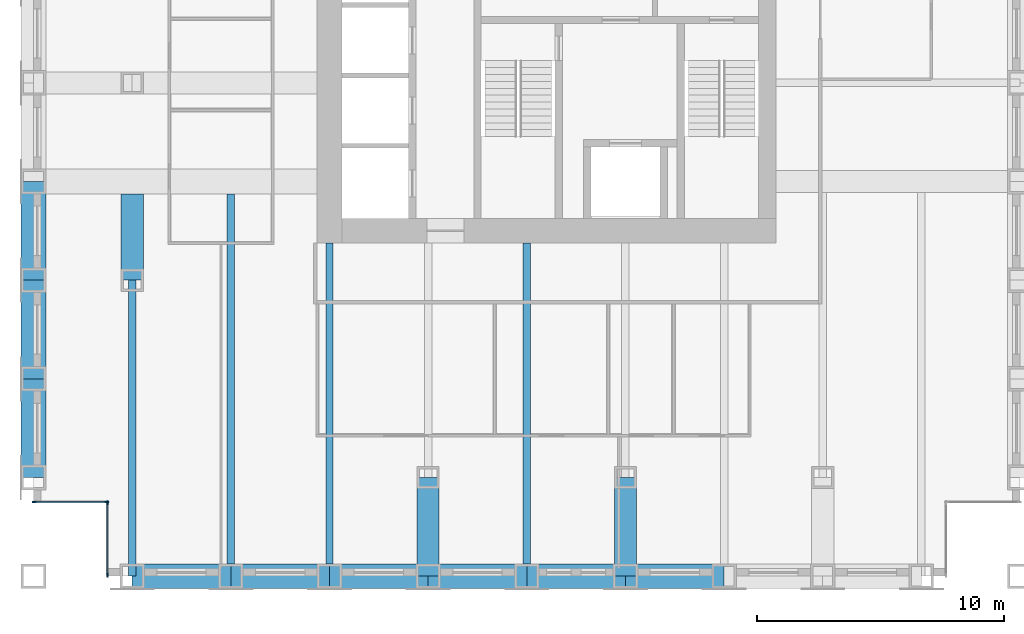
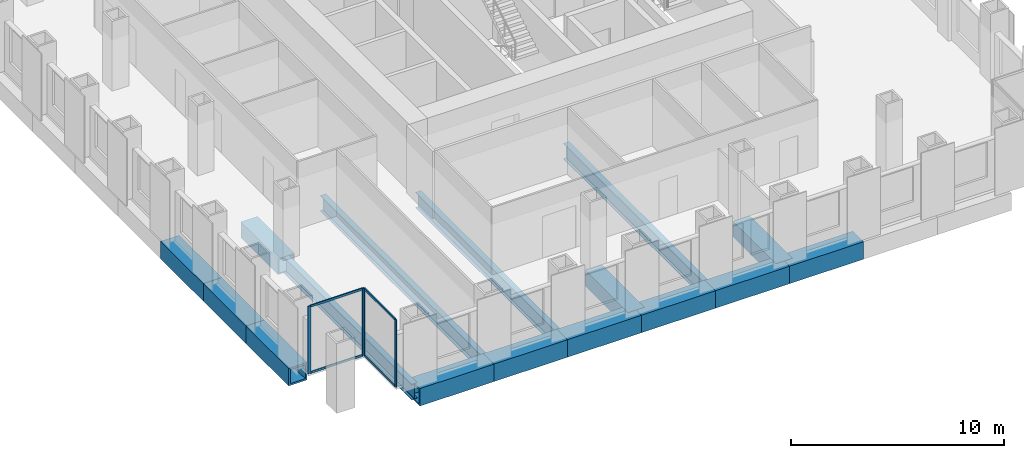
# One storey, part 2 of 12: 16 beams, 8 members, 2 elements without a shape of their own.
"""IFC4 building model written with IfcOpenShell, lengths in metres."""

from ifc_helpers import new_model, si_unit, direction, frame, origin, origin_2d, place, context, subcontext, project, spatial, rectangle, hollow_rectangle, i_section, extrude, material, material_profile, profile_set, type_object, element, aggregate, save


model = new_model("IFC4")

# Units and contexts
model_context = context("Model", 3, precision=1e-05, world=origin(), true_north=direction((0.0, 1.0)))
body_context = subcontext(model_context, "Body", "Model", "MODEL_VIEW")
ifc_project = project(units=[si_unit("LENGTHUNIT", "METRE"), si_unit("AREAUNIT", "SQUARE_METRE"), si_unit("VOLUMEUNIT", "CUBIC_METRE"), si_unit("PLANEANGLEUNIT", "RADIAN"), si_unit("MASSUNIT", "GRAM", prefix="KILO")], contexts=[model_context])

# Site, building, storey
site_placement = place(None, origin())
site = spatial("IfcSite", under=ifc_project, at=site_placement, CompositionType="ELEMENT")
building_placement = place(site_placement, origin())
building = spatial("IfcBuilding", under=site, at=building_placement, Name="Rimbunsela Tower", CompositionType="ELEMENT")
storey_placement = place(building_placement, frame((0.0, 0.0, 163.800048828125)))
storey = spatial("IfcBuildingStorey", under=building, at=storey_placement, Name="L39", CompositionType="ELEMENT", Elevation=163.800048828125)

# Beams
ifc_material_1 = material(Name="Steel BJ 55 (fy 410 MPa)", Category="steel")
ifc_material_profile_1 = material_profile(ifc_material_1, hollow_rectangle(XDim=1.0, YDim=1.0, WallThickness=0.10009765625, at=origin_2d()), Name="BOX 1000x1000x100")
ifc_profile_set_1 = profile_set([ifc_material_profile_1], Name="Steel BJ 55 (fy 410 MPa)")
beam_type_1 = type_object("IfcBeamType", Name="Beam BOX 1000x1000x100", PredefinedType="BEAM", material=ifc_profile_set_1)
for number, where, z_axis, x_axis, name in (
    (1, (6.0, 8.0, -0.650146484375), (0.0, 1.0, 0.0), (-1.0, 0.0, 0.0), "Beam B3 L39"),
    (2, (6.0, 12.0, -0.650146484375), (0.0, 1.0, 0.0), (-1.0, 0.0, 0.0), "Beam B3 L39"),
    (3, (6.0, 16.0, -0.650146484375), (0.0, 1.0, 0.0), (-1.0, 0.0, 0.0), "Beam B3 L39"),
    (4, (10.0, 4.0, -0.650146484375), (1.0, 0.0, 0.0), (0.0, 1.0, 0.0), "Beam B3 L39"),
    (5, (14.0, 4.0, -0.650146484375), (1.0, 0.0, 0.0), (0.0, 1.0, 0.0), "Beam B3 L39"),
    (6, (18.0, 4.0, -0.650146484375), (1.0, 0.0, 0.0), (0.0, 1.0, 0.0), "Beam B3 L39"),
    (7, (22.0, 4.0, -0.650146484375), (1.0, 0.0, 0.0), (0.0, 1.0, 0.0), "Beam B3 L39"),
    (8, (26.0, 4.0, -0.650146484375), (1.0, 0.0, 0.0), (0.0, 1.0, 0.0), "Beam B3 L39"),
    (9, (30.0, 4.0, -0.650146484375), (1.0, 0.0, 0.0), (0.0, 1.0, 0.0), "Beam B3 L39"),
):
    element("IfcBeam", number, at=place(storey_placement, frame(where, z_axis=z_axis, x_axis=x_axis)), inside=storey, type_object=beam_type_1, Name=name, PredefinedType="BEAM", context=body_context, shape_type="SweptSolid", body=[
        extrude(hollow_rectangle(XDim=1.0, YDim=1.0, WallThickness=0.10009765625, at=origin_2d()), origin(), (0.0, 0.0, 1.0), 4.0),
    ])
ifc_material_2 = material(Name="Steel BJ 55 (fy 410 MPa)", Category="steel")
ifc_material_profile_2 = material_profile(ifc_material_2, hollow_rectangle(XDim=0.89990234375, YDim=0.89990234375, WallThickness=0.06005859375, at=origin_2d()), Name="BOX 900x900x60")
ifc_profile_set_2 = profile_set([ifc_material_profile_2], Name="Steel BJ 55 (fy 410 MPa)")
beam_type_2 = type_object("IfcBeamType", Name="Beam BOX 900x900x60", PredefinedType="BEAM", material=ifc_profile_set_2)
beam_1_placement = place(storey_placement, frame((10.0, 16.0, -0.60009765625), z_axis=(0.0, 1.0, 0.0), x_axis=(-1.0, 0.0, 0.0)))
element("IfcBeam", 10, at=beam_1_placement, inside=storey, type_object=beam_type_2, Name="Beam B1 L39", PredefinedType="BEAM", context=body_context, shape_type="SweptSolid", body=[
    extrude(hollow_rectangle(XDim=0.89990234375, YDim=0.89990234375, WallThickness=0.06005859375, at=origin_2d()), origin(), (0.0, 0.0, 1.0), 3.5),
])
for number, where, z_axis, x_axis, name in (
    (11, (22.0, 4.0, -0.60009765625), (0.0, 1.0, 0.0), (-1.0, 0.0, 0.0), "Beam B1 L39"),
    (12, (30.0, 4.0, -0.60009765625), (0.0, 1.0, 0.0), (-1.0, 0.0, 0.0), "Beam B1 L39"),
):
    element("IfcBeam", number, at=place(storey_placement, frame(where, z_axis=z_axis, x_axis=x_axis)), inside=storey, type_object=beam_type_2, Name=name, PredefinedType="BEAM", context=body_context, shape_type="SweptSolid", body=[
        extrude(hollow_rectangle(XDim=0.89990234375, YDim=0.89990234375, WallThickness=0.06005859375, at=origin_2d()), origin(), (0.0, 0.0, 1.0), 4.0),
    ])
ifc_material_3 = material(Name="Steel BJ 55 (fy 410 MPa)", Category="steel")
ifc_material_profile_3 = material_profile(ifc_material_3, i_section(OverallWidth=0.300048828125, OverallDepth=0.89990234375, WebThickness=0.01611328125, FlangeThickness=0.028076171875, FilletRadius=0.028076171875, at=origin_2d()), Name="H 900x300x16x28")
ifc_profile_set_3 = profile_set([ifc_material_profile_3], Name="Steel BJ 55 (fy 410 MPa)")
beam_type_3 = type_object("IfcBeamType", Name="Beam H 900x300x16x28", PredefinedType="BEAM", material=ifc_profile_set_3)
beam_2_placement = place(storey_placement, frame((10.0, 4.0, -0.60009765625), z_axis=(0.0, 1.0, 0.0), x_axis=(-1.0, 0.0, 0.0)))
element("IfcBeam", 13, at=beam_2_placement, inside=storey, type_object=beam_type_3, Name="Beam B2 L39", PredefinedType="BEAM", context=body_context, shape_type="SweptSolid", body=[
    extrude(i_section(OverallWidth=0.300048828125, OverallDepth=0.89990234375, WebThickness=0.01611328125, FlangeThickness=0.028076171875, FilletRadius=0.028076171875, at=origin_2d()), origin(), (0.0, 0.0, 1.0), 12.0),
])
beam_3_placement = place(storey_placement, frame((14.0, 4.0, -0.60009765625), z_axis=(0.0, 1.0, 0.0), x_axis=(-1.0, 0.0, 0.0)))
element("IfcBeam", 14, at=beam_3_placement, inside=storey, type_object=beam_type_3, Name="Beam B2 L39", PredefinedType="BEAM", context=body_context, shape_type="SweptSolid", body=[
    extrude(i_section(OverallWidth=0.300048828125, OverallDepth=0.89990234375, WebThickness=0.01611328125, FlangeThickness=0.028076171875, FilletRadius=0.028076171875, at=origin_2d()), origin(), (0.0, 0.0, 1.0), 15.5),
])
for number, where, z_axis, x_axis, name in (
    (15, (18.0, 4.0, -0.60009765625), (0.0, 1.0, 0.0), (-1.0, 0.0, 0.0), "Beam B2 L39"),
    (16, (26.0, 4.0, -0.60009765625), (0.0, 1.0, 0.0), (-1.0, 0.0, 0.0), "Beam B2 L39"),
):
    element("IfcBeam", number, at=place(storey_placement, frame(where, z_axis=z_axis, x_axis=x_axis)), inside=storey, type_object=beam_type_3, Name=name, PredefinedType="BEAM", context=body_context, shape_type="SweptSolid", body=[
        extrude(i_section(OverallWidth=0.300048828125, OverallDepth=0.89990234375, WebThickness=0.01611328125, FlangeThickness=0.028076171875, FilletRadius=0.028076171875, at=origin_2d()), origin(), (0.0, 0.0, 1.0), 13.5),
    ])

# Curtain wall, members
ifc_material_4 = material(Name="Aluminium curtain wall", Category="aluminium")
curtain_wall_type = type_object("IfcCurtainWallType", Name="Corner glazing", PredefinedType="USERDEFINED", material=ifc_material_4)
curtain_wall_1_placement = place(storey_placement, origin())
curtain_wall_1 = element("IfcCurtainWall", 17, at=curtain_wall_1_placement, inside=storey, type_object=curtain_wall_type, Name="Corner glazing L39", ObjectType="CORNER GLAZING", PredefinedType="USERDEFINED")
ifc_material_5 = material(Name="Aluminium mullion", Category="aluminium")
ifc_material_profile_4 = material_profile(ifc_material_5, rectangle(XDim=0.06005859375, YDim=0.159912109375, at=origin_2d()), Name="Mullion 60x160")
ifc_profile_set_4 = profile_set([ifc_material_profile_4], Name="Aluminium mullion")
member_type_1 = type_object("IfcMemberType", Name="Curtain wall mullion 60x160", PredefinedType="MULLION", material=ifc_profile_set_4)
member_1_placement = place(storey_placement, frame((6.030029296875, 7.0, 0.0), z_axis=(0.0, 0.0, 1.0), x_axis=(0.0, 1.0, 0.0)))
member_1 = element("IfcMember", 18, at=member_1_placement, type_object=member_type_1, Name="CW5 mullion 1", PredefinedType="MULLION", context=body_context, shape_type="SweptSolid", body=[
    extrude(rectangle(XDim=0.06005859375, YDim=0.159912109375, at=origin_2d()), origin(), (0.0, 0.0, 1.0), 3.849853515625),
])
member_2_placement = place(storey_placement, frame((8.969970703125, 7.0, 0.0), z_axis=(0.0, 0.0, 1.0), x_axis=(0.0, 1.0, 0.0)))
member_2 = element("IfcMember", 19, at=member_2_placement, type_object=member_type_1, Name="CW5 mullion 2", PredefinedType="MULLION", context=body_context, shape_type="SweptSolid", body=[
    extrude(rectangle(XDim=0.06005859375, YDim=0.159912109375, at=origin_2d()), origin(), (0.0, 0.0, 1.0), 3.849853515625),
])

curtain_wall_2_placement = place(storey_placement, origin())
curtain_wall_2 = element("IfcCurtainWall", 20, at=curtain_wall_2_placement, inside=storey, type_object=curtain_wall_type, Name="Corner glazing L39", ObjectType="CORNER GLAZING", PredefinedType="USERDEFINED")
member_3_placement = place(storey_placement, frame((9.0, 6.969970703125, 0.0), z_axis=(0.0, 0.0, 1.0), x_axis=(1.0, 0.0, 0.0)))
member_3 = element("IfcMember", 21, at=member_3_placement, type_object=member_type_1, Name="CW5 mullion 1", PredefinedType="MULLION", context=body_context, shape_type="SweptSolid", body=[
    extrude(rectangle(XDim=0.06005859375, YDim=0.159912109375, at=origin_2d()), origin(), (0.0, 0.0, 1.0), 3.849853515625),
])
member_4_placement = place(storey_placement, frame((9.0, 4.030029296875, 0.0), z_axis=(0.0, 0.0, 1.0), x_axis=(1.0, 0.0, 0.0)))
member_4 = element("IfcMember", 22, at=member_4_placement, type_object=member_type_1, Name="CW5 mullion 2", PredefinedType="MULLION", context=body_context, shape_type="SweptSolid", body=[
    extrude(rectangle(XDim=0.06005859375, YDim=0.159912109375, at=origin_2d()), origin(), (0.0, 0.0, 1.0), 3.849853515625),
])

# Member
ifc_material_6 = material(Name="Aluminium transom", Category="aluminium")
ifc_material_profile_5 = material_profile(ifc_material_6, rectangle(XDim=0.06005859375, YDim=0.1201171875, at=origin_2d()), Name="Transom 60x120")
ifc_profile_set_5 = profile_set([ifc_material_profile_5], Name="Aluminium transom")
member_type_2 = type_object("IfcMemberType", Name="Curtain wall transom 60x120", PredefinedType="USERDEFINED", material=ifc_profile_set_5)
member_5_placement = place(storey_placement, frame((6.06005859375, 7.0, 0.030029296875), z_axis=(1.0, 0.0, 0.0), x_axis=(0.0, 1.0, 0.0)))
member_5 = element("IfcMember", 23, at=member_5_placement, type_object=member_type_2, Name="CW5 transom 1.1", ObjectType="TRANSOM", PredefinedType="USERDEFINED", context=body_context, shape_type="SweptSolid", body=[
    extrude(rectangle(XDim=0.06005859375, YDim=0.1201171875, at=origin_2d()), origin(), (0.0, 0.0, 1.0), 2.8798828125),
])

member_6_placement = place(storey_placement, frame((6.06005859375, 7.0, 3.820068359375), z_axis=(1.0, 0.0, 0.0), x_axis=(0.0, 1.0, 0.0)))
member_6 = element("IfcMember", 24, at=member_6_placement, type_object=member_type_2, Name="CW5 transom 1.2", ObjectType="TRANSOM", PredefinedType="USERDEFINED", context=body_context, shape_type="SweptSolid", body=[
    extrude(rectangle(XDim=0.06005859375, YDim=0.1201171875, at=origin_2d()), origin(), (0.0, 0.0, 1.0), 2.8798828125),
])

aggregate(curtain_wall_1, [member_1, member_2, member_5, member_6])

member_7_placement = place(storey_placement, frame((9.0, 6.93994140625, 0.030029296875), z_axis=(0.0, -1.0, 0.0), x_axis=(1.0, 0.0, 0.0)))
member_7 = element("IfcMember", 25, at=member_7_placement, type_object=member_type_2, Name="CW5 transom 1.1", ObjectType="TRANSOM", PredefinedType="USERDEFINED", context=body_context, shape_type="SweptSolid", body=[
    extrude(rectangle(XDim=0.06005859375, YDim=0.1201171875, at=origin_2d()), origin(), (0.0, 0.0, 1.0), 2.8798828125),
])

member_8_placement = place(storey_placement, frame((9.0, 6.93994140625, 3.820068359375), z_axis=(0.0, -1.0, 0.0), x_axis=(1.0, 0.0, 0.0)))
member_8 = element("IfcMember", 26, at=member_8_placement, type_object=member_type_2, Name="CW5 transom 1.2", ObjectType="TRANSOM", PredefinedType="USERDEFINED", context=body_context, shape_type="SweptSolid", body=[
    extrude(rectangle(XDim=0.06005859375, YDim=0.1201171875, at=origin_2d()), origin(), (0.0, 0.0, 1.0), 2.8798828125),
])

aggregate(curtain_wall_2, [member_3, member_4, member_7, member_8])

save(model, "model.ifc")
